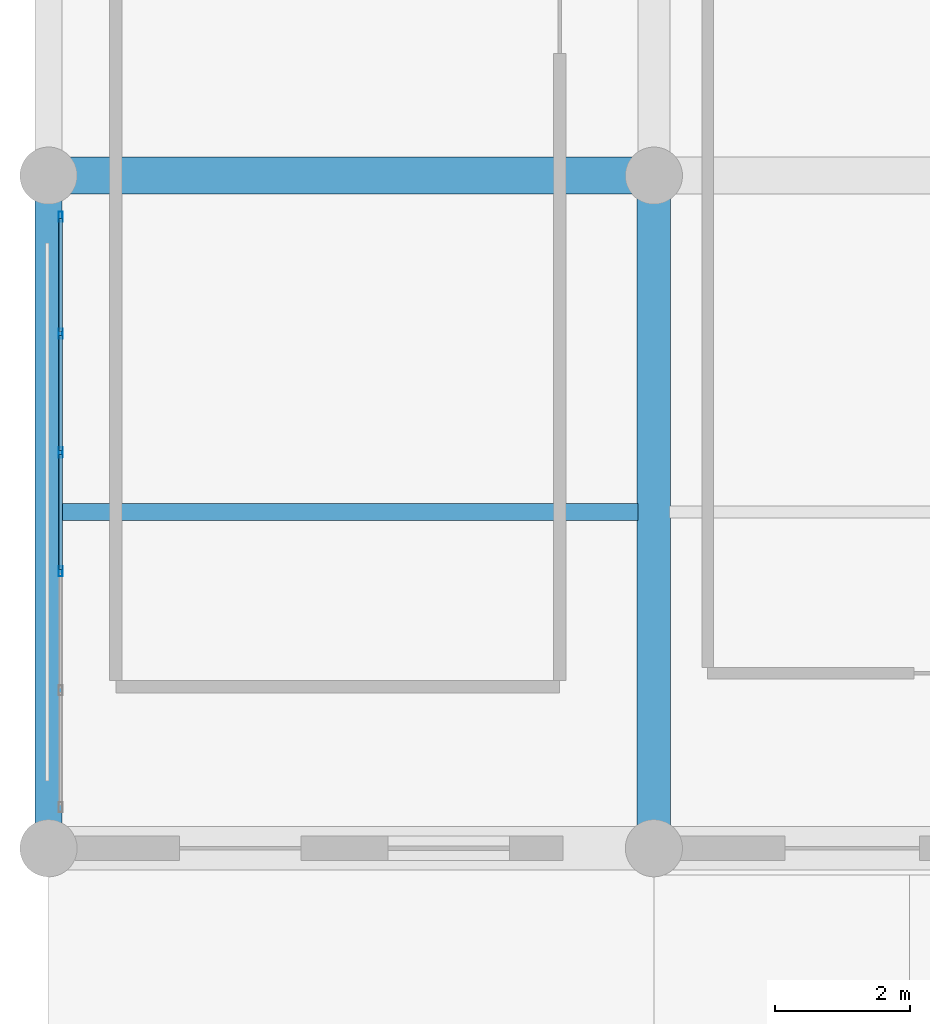
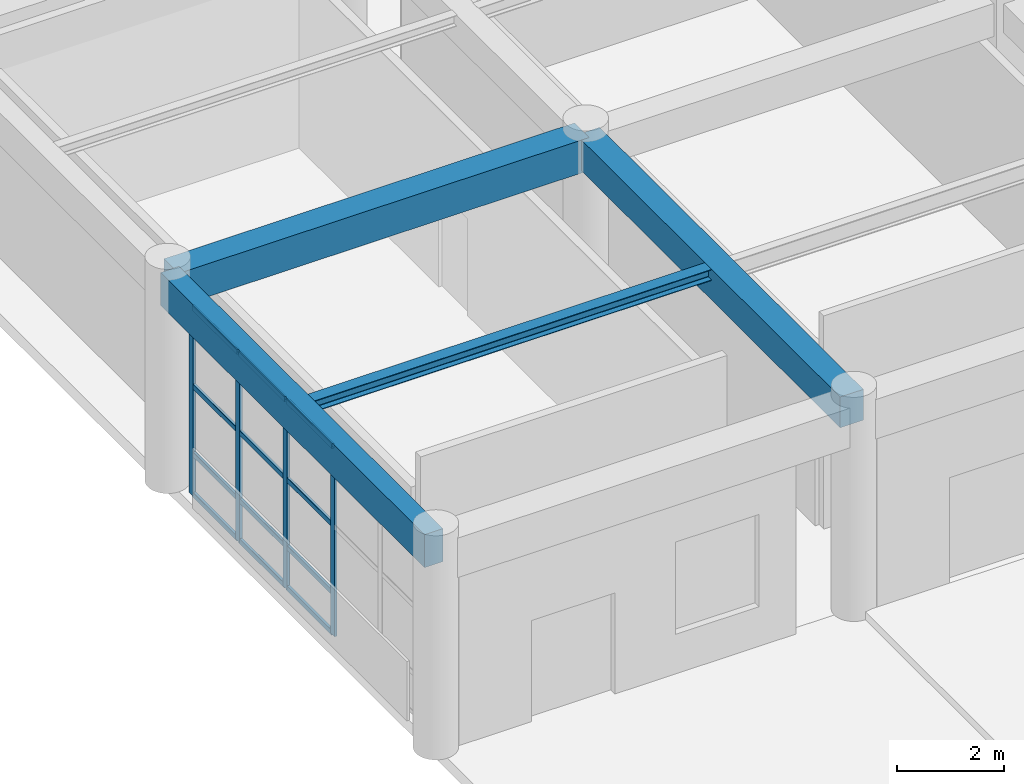
# One storey, part 51 of 128: 16 members, 4 beams, 1 element without a shape of its own.
"""IFC4 building model written with IfcOpenShell, lengths in metres."""

from ifc_helpers import new_model, si_unit, direction, frame, origin, origin_2d, place, context, subcontext, project, spatial, rectangle, hollow_rectangle, i_section, extrude, material, material_profile, profile_set, type_object, element, aggregate, save


model = new_model("IFC4")

# Units and contexts
model_context = context("Model", 3, precision=1e-05, world=origin(), true_north=direction((0.0, 1.0)))
body_context = subcontext(model_context, "Body", "Model", "MODEL_VIEW")
ifc_project = project(units=[si_unit("LENGTHUNIT", "METRE"), si_unit("AREAUNIT", "SQUARE_METRE"), si_unit("VOLUMEUNIT", "CUBIC_METRE"), si_unit("PLANEANGLEUNIT", "RADIAN"), si_unit("MASSUNIT", "GRAM", prefix="KILO")], contexts=[model_context])

# Site, building, storey
site_placement = place(None, origin())
site = spatial("IfcSite", under=ifc_project, at=site_placement, CompositionType="ELEMENT")
building_placement = place(site_placement, origin())
building = spatial("IfcBuilding", under=site, at=building_placement, Name="Miravela Opera House", CompositionType="ELEMENT")
storey_placement = place(building_placement, origin())
storey = spatial("IfcBuildingStorey", under=building, at=storey_placement, Name="L00", CompositionType="ELEMENT", Elevation=0.0)

# Curtain wall, members
ifc_material_1 = material(Name="Anodised architectural bronze aluminium 6063-T6", Category="aluminium")
curtain_wall_type = type_object("IfcCurtainWallType", Name="ARC-CW-07", PredefinedType="NOTDEFINED", material=ifc_material_1)
curtain_wall_placement = place(storey_placement, origin())
curtain_wall = element("IfcCurtainWall", 1, at=curtain_wall_placement, inside=storey, type_object=curtain_wall_type, Name="Courtyard Arcade Curtain Wall CW-L00-195", PredefinedType="NOTDEFINED")
ifc_material_profile_1 = material_profile(ifc_material_1, hollow_rectangle(XDim=0.06005859375, YDim=0.14990234375, WallThickness=0.00390625, InnerFilletRadius=0.001953125, OuterFilletRadius=0.00390625, at=origin_2d()), Name="CWM-60X150")
ifc_profile_set_1 = profile_set([ifc_material_profile_1])
member_type_1 = type_object("IfcMemberType", Name="ARC-CWM-150", PredefinedType="MULLION", material=ifc_profile_set_1)
member_1_placement = place(storey_placement, frame((0.179931640625, 88.115966796875, 0.0), z_axis=(0.0, 0.0, 1.0), x_axis=(-1.0, 0.0, 0.0)))
member_1 = element("IfcMember", 2, at=member_1_placement, type_object=member_type_1, Name="CW-07 mullion 3", PredefinedType="MULLION", context=body_context, shape_type="SweptSolid", body=[
    extrude(hollow_rectangle(XDim=0.06005859375, YDim=0.14990234375, WallThickness=0.00390625, InnerFilletRadius=0.001953125, OuterFilletRadius=0.00390625, at=origin_2d()), origin(), (0.0, 0.0, 1.0), 4.300048828125),
])
member_2_placement = place(storey_placement, frame((0.179931640625, 89.884033203125, 0.0), z_axis=(0.0, 0.0, 1.0), x_axis=(-1.0, 0.0, 0.0)))
member_2 = element("IfcMember", 3, at=member_2_placement, type_object=member_type_1, Name="CW-07 mullion 4", PredefinedType="MULLION", context=body_context, shape_type="SweptSolid", body=[
    extrude(hollow_rectangle(XDim=0.06005859375, YDim=0.14990234375, WallThickness=0.00390625, InnerFilletRadius=0.001953125, OuterFilletRadius=0.00390625, at=origin_2d()), origin(), (0.0, 0.0, 1.0), 4.300048828125),
])
member_3_placement = place(storey_placement, frame((0.179931640625, 91.652099609375, 0.0), z_axis=(0.0, 0.0, 1.0), x_axis=(-1.0, 0.0, 0.0)))
member_3 = element("IfcMember", 4, at=member_3_placement, type_object=member_type_1, Name="CW-07 mullion 5", PredefinedType="MULLION", context=body_context, shape_type="SweptSolid", body=[
    extrude(hollow_rectangle(XDim=0.06005859375, YDim=0.14990234375, WallThickness=0.00390625, InnerFilletRadius=0.001953125, OuterFilletRadius=0.00390625, at=origin_2d()), origin(), (0.0, 0.0, 1.0), 4.300048828125),
])
member_4_placement = place(storey_placement, frame((0.179931640625, 93.389892578125, 0.0), z_axis=(0.0, 0.0, 1.0), x_axis=(-1.0, 0.0, 0.0)))
member_4 = element("IfcMember", 5, at=member_4_placement, type_object=member_type_1, Name="CW-07 mullion 6", PredefinedType="MULLION", context=body_context, shape_type="SweptSolid", body=[
    extrude(hollow_rectangle(XDim=0.06005859375, YDim=0.14990234375, WallThickness=0.00390625, InnerFilletRadius=0.001953125, OuterFilletRadius=0.00390625, at=origin_2d()), origin(), (0.0, 0.0, 1.0), 4.300048828125),
])
ifc_material_profile_2 = material_profile(ifc_material_1, hollow_rectangle(XDim=0.06005859375, YDim=0.114990234375, WallThickness=0.00390625, InnerFilletRadius=0.001953125, OuterFilletRadius=0.00390625, at=origin_2d()), Name="CWT-60X115")
ifc_profile_set_2 = profile_set([ifc_material_profile_2])
member_type_2 = type_object("IfcMemberType", Name="ARC-CWT-115", PredefinedType="USERDEFINED", material=ifc_profile_set_2)
member_5_placement = place(storey_placement, frame((0.179931640625, 88.14599609375, 0.030029296875), z_axis=(0.0, 1.0, 0.0), x_axis=(-1.0, 0.0, 0.0)))
member_5 = element("IfcMember", 6, at=member_5_placement, type_object=member_type_2, Name="CW-07 transom 3.1", ObjectType="TRANSOM", PredefinedType="USERDEFINED", context=body_context, shape_type="SweptSolid", body=[
    extrude(hollow_rectangle(XDim=0.06005859375, YDim=0.114990234375, WallThickness=0.00390625, InnerFilletRadius=0.001953125, OuterFilletRadius=0.00390625, at=origin_2d()), origin(), (0.0, 0.0, 1.0), 1.7080078125),
])
member_6_placement = place(storey_placement, frame((0.179931640625, 88.14599609375, 0.949951171875), z_axis=(0.0, 1.0, 0.0), x_axis=(-1.0, 0.0, 0.0)))
member_6 = element("IfcMember", 7, at=member_6_placement, type_object=member_type_2, Name="CW-07 transom 3.2", ObjectType="TRANSOM", PredefinedType="USERDEFINED", context=body_context, shape_type="SweptSolid", body=[
    extrude(hollow_rectangle(XDim=0.06005859375, YDim=0.114990234375, WallThickness=0.00390625, InnerFilletRadius=0.001953125, OuterFilletRadius=0.00390625, at=origin_2d()), origin(), (0.0, 0.0, 1.0), 1.7080078125),
])
member_7_placement = place(storey_placement, frame((0.179931640625, 88.14599609375, 2.493896484375), z_axis=(0.0, 1.0, 0.0), x_axis=(-1.0, 0.0, 0.0)))
member_7 = element("IfcMember", 8, at=member_7_placement, type_object=member_type_2, Name="CW-07 transom 3.3", ObjectType="TRANSOM", PredefinedType="USERDEFINED", context=body_context, shape_type="SweptSolid", body=[
    extrude(hollow_rectangle(XDim=0.06005859375, YDim=0.114990234375, WallThickness=0.00390625, InnerFilletRadius=0.001953125, OuterFilletRadius=0.00390625, at=origin_2d()), origin(), (0.0, 0.0, 1.0), 1.7080078125),
])
member_8_placement = place(storey_placement, frame((0.179931640625, 88.14599609375, 4.27001953125), z_axis=(0.0, 1.0, 0.0), x_axis=(-1.0, 0.0, 0.0)))
member_8 = element("IfcMember", 9, at=member_8_placement, type_object=member_type_2, Name="CW-07 transom 3.4", ObjectType="TRANSOM", PredefinedType="USERDEFINED", context=body_context, shape_type="SweptSolid", body=[
    extrude(hollow_rectangle(XDim=0.06005859375, YDim=0.114990234375, WallThickness=0.00390625, InnerFilletRadius=0.001953125, OuterFilletRadius=0.00390625, at=origin_2d()), origin(), (0.0, 0.0, 1.0), 1.7080078125),
])
member_9_placement = place(storey_placement, frame((0.179931640625, 89.9140625, 0.030029296875), z_axis=(0.0, 1.0, 0.0), x_axis=(-1.0, 0.0, 0.0)))
member_9 = element("IfcMember", 10, at=member_9_placement, type_object=member_type_2, Name="CW-07 transom 4.1", ObjectType="TRANSOM", PredefinedType="USERDEFINED", context=body_context, shape_type="SweptSolid", body=[
    extrude(hollow_rectangle(XDim=0.06005859375, YDim=0.114990234375, WallThickness=0.00390625, InnerFilletRadius=0.001953125, OuterFilletRadius=0.00390625, at=origin_2d()), origin(), (0.0, 0.0, 1.0), 1.7080078125),
])
member_10_placement = place(storey_placement, frame((0.179931640625, 89.9140625, 0.949951171875), z_axis=(0.0, 1.0, 0.0), x_axis=(-1.0, 0.0, 0.0)))
member_10 = element("IfcMember", 11, at=member_10_placement, type_object=member_type_2, Name="CW-07 transom 4.2", ObjectType="TRANSOM", PredefinedType="USERDEFINED", context=body_context, shape_type="SweptSolid", body=[
    extrude(hollow_rectangle(XDim=0.06005859375, YDim=0.114990234375, WallThickness=0.00390625, InnerFilletRadius=0.001953125, OuterFilletRadius=0.00390625, at=origin_2d()), origin(), (0.0, 0.0, 1.0), 1.7080078125),
])
member_11_placement = place(storey_placement, frame((0.179931640625, 89.9140625, 2.493896484375), z_axis=(0.0, 1.0, 0.0), x_axis=(-1.0, 0.0, 0.0)))
member_11 = element("IfcMember", 12, at=member_11_placement, type_object=member_type_2, Name="CW-07 transom 4.3", ObjectType="TRANSOM", PredefinedType="USERDEFINED", context=body_context, shape_type="SweptSolid", body=[
    extrude(hollow_rectangle(XDim=0.06005859375, YDim=0.114990234375, WallThickness=0.00390625, InnerFilletRadius=0.001953125, OuterFilletRadius=0.00390625, at=origin_2d()), origin(), (0.0, 0.0, 1.0), 1.7080078125),
])
member_12_placement = place(storey_placement, frame((0.179931640625, 89.9140625, 4.27001953125), z_axis=(0.0, 1.0, 0.0), x_axis=(-1.0, 0.0, 0.0)))
member_12 = element("IfcMember", 13, at=member_12_placement, type_object=member_type_2, Name="CW-07 transom 4.4", ObjectType="TRANSOM", PredefinedType="USERDEFINED", context=body_context, shape_type="SweptSolid", body=[
    extrude(hollow_rectangle(XDim=0.06005859375, YDim=0.114990234375, WallThickness=0.00390625, InnerFilletRadius=0.001953125, OuterFilletRadius=0.00390625, at=origin_2d()), origin(), (0.0, 0.0, 1.0), 1.7080078125),
])
member_13_placement = place(storey_placement, frame((0.179931640625, 91.681884765625, 0.030029296875), z_axis=(0.0, 1.0, 0.0), x_axis=(-1.0, 0.0, 0.0)))
member_13 = element("IfcMember", 14, at=member_13_placement, type_object=member_type_2, Name="CW-07 transom 5.1", ObjectType="TRANSOM", PredefinedType="USERDEFINED", context=body_context, shape_type="SweptSolid", body=[
    extrude(hollow_rectangle(XDim=0.06005859375, YDim=0.114990234375, WallThickness=0.00390625, InnerFilletRadius=0.001953125, OuterFilletRadius=0.00390625, at=origin_2d()), origin(), (0.0, 0.0, 1.0), 1.67822265625),
])
member_14_placement = place(storey_placement, frame((0.179931640625, 91.681884765625, 0.949951171875), z_axis=(0.0, 1.0, 0.0), x_axis=(-1.0, 0.0, 0.0)))
member_14 = element("IfcMember", 15, at=member_14_placement, type_object=member_type_2, Name="CW-07 transom 5.2", ObjectType="TRANSOM", PredefinedType="USERDEFINED", context=body_context, shape_type="SweptSolid", body=[
    extrude(hollow_rectangle(XDim=0.06005859375, YDim=0.114990234375, WallThickness=0.00390625, InnerFilletRadius=0.001953125, OuterFilletRadius=0.00390625, at=origin_2d()), origin(), (0.0, 0.0, 1.0), 1.67822265625),
])
member_15_placement = place(storey_placement, frame((0.179931640625, 91.681884765625, 2.493896484375), z_axis=(0.0, 1.0, 0.0), x_axis=(-1.0, 0.0, 0.0)))
member_15 = element("IfcMember", 16, at=member_15_placement, type_object=member_type_2, Name="CW-07 transom 5.3", ObjectType="TRANSOM", PredefinedType="USERDEFINED", context=body_context, shape_type="SweptSolid", body=[
    extrude(hollow_rectangle(XDim=0.06005859375, YDim=0.114990234375, WallThickness=0.00390625, InnerFilletRadius=0.001953125, OuterFilletRadius=0.00390625, at=origin_2d()), origin(), (0.0, 0.0, 1.0), 1.67822265625),
])
member_16_placement = place(storey_placement, frame((0.179931640625, 91.681884765625, 4.27001953125), z_axis=(0.0, 1.0, 0.0), x_axis=(-1.0, 0.0, 0.0)))
member_16 = element("IfcMember", 17, at=member_16_placement, type_object=member_type_2, Name="CW-07 transom 5.4", ObjectType="TRANSOM", PredefinedType="USERDEFINED", context=body_context, shape_type="SweptSolid", body=[
    extrude(hollow_rectangle(XDim=0.06005859375, YDim=0.114990234375, WallThickness=0.00390625, InnerFilletRadius=0.001953125, OuterFilletRadius=0.00390625, at=origin_2d()), origin(), (0.0, 0.0, 1.0), 1.67822265625),
])
aggregate(curtain_wall, [member_1, member_2, member_3, member_4, member_5, member_6, member_7, member_8, member_9, member_10, member_11, member_12, member_13, member_14, member_15, member_16])

# Beams
ifc_material_2 = material(Name="Concrete C35/45", Category="concrete")
ifc_material_profile_3 = material_profile(ifc_material_2, rectangle(XDim=0.5, YDim=0.699951171875, at=origin_2d()), Name="RC-BM-500X700")
ifc_profile_set_3 = profile_set([ifc_material_profile_3])
beam_type_1 = type_object("IfcBeamType", Name="STR-BM-RC500X700", PredefinedType="BEAM", material=ifc_profile_set_3)
beam_1_placement = place(storey_placement, frame((9.0, 84.080078125, 4.5), z_axis=(0.0, 1.0, 0.0), x_axis=(-1.0, 0.0, 0.0)))
element("IfcBeam", 18, at=beam_1_placement, inside=storey, type_object=beam_type_1, Name="Floor Girder L00 2/J-K", PredefinedType="BEAM", context=body_context, shape_type="SweptSolid", body=[
    extrude(rectangle(XDim=0.5, YDim=0.699951171875, at=origin_2d()), origin(), (0.0, 0.0, 1.0), 9.83984375),
])
ifc_material_profile_4 = material_profile(ifc_material_2, rectangle(XDim=0.550048828125, YDim=0.75, at=origin_2d()), Name="RC-BM-550X750")
ifc_profile_set_4 = profile_set([ifc_material_profile_4])
beam_type_2 = type_object("IfcBeamType", Name="STR-BM-RC550X750", PredefinedType="BEAM", material=ifc_profile_set_4)
beam_2_placement = place(storey_placement, frame((0.080078125, 94.0, 4.47509765625), z_axis=(1.0, 0.0, 0.0), x_axis=(0.0, 1.0, 0.0)))
element("IfcBeam", 19, at=beam_2_placement, inside=storey, type_object=beam_type_2, Name="Floor Girder L00 1-2/K", PredefinedType="BEAM", context=body_context, shape_type="SweptSolid", body=[
    extrude(rectangle(XDim=0.550048828125, YDim=0.75, at=origin_2d()), origin(), (0.0, 0.0, 1.0), 8.83984375),
])
ifc_material_3 = material(Name="Structural steel ASTM A992 Gr. 50", Category="steel")
ifc_material_profile_5 = material_profile(ifc_material_3, i_section(OverallWidth=0.25390625, OverallDepth=0.2529296875, WebThickness=0.008544921875, FlangeThickness=0.01416015625, FilletRadius=0.011962890625, at=origin_2d()), Name="W250X73")
ifc_profile_set_5 = profile_set([ifc_material_profile_5])
beam_type_3 = type_object("IfcBeamType", Name="STR-BM-W250X73", PredefinedType="JOIST", material=ifc_profile_set_5)
beam_3_placement = place(storey_placement, frame((0.18505859375, 89.0, 4.723388671875), z_axis=(1.0, 0.0, 0.0), x_axis=(0.0, 1.0, 0.0)))
element("IfcBeam", 20, at=beam_3_placement, inside=storey, type_object=beam_type_3, Name="Secondary Floor Joist L00 1-2/J-K", PredefinedType="JOIST", context=body_context, shape_type="SweptSolid", body=[
    extrude(i_section(OverallWidth=0.25390625, OverallDepth=0.2529296875, WebThickness=0.008544921875, FlangeThickness=0.01416015625, FilletRadius=0.011962890625, at=origin_2d()), origin(), (0.0, 0.0, 1.0), 8.579833984375),
])
ifc_material_profile_6 = material_profile(ifc_material_2, rectangle(XDim=0.39990234375, YDim=0.75, at=origin_2d()), Name="RC-SPN-400X750")
ifc_profile_set_6 = profile_set([ifc_material_profile_6])
beam_type_4 = type_object("IfcBeamType", Name="STR-SPN-RC400X750", PredefinedType="SPANDREL", material=ifc_profile_set_6)
beam_4_placement = place(storey_placement, frame((0.0, 84.080078125, 4.47509765625), z_axis=(0.0, 1.0, 0.0), x_axis=(-1.0, 0.0, 0.0)))
element("IfcBeam", 21, at=beam_4_placement, inside=storey, type_object=beam_type_4, Name="Floor Girder L00 1/J-K", PredefinedType="SPANDREL", context=body_context, shape_type="SweptSolid", body=[
    extrude(rectangle(XDim=0.39990234375, YDim=0.75, at=origin_2d()), origin(), (0.0, 0.0, 1.0), 9.83984375),
])

save(model, "model.ifc")
